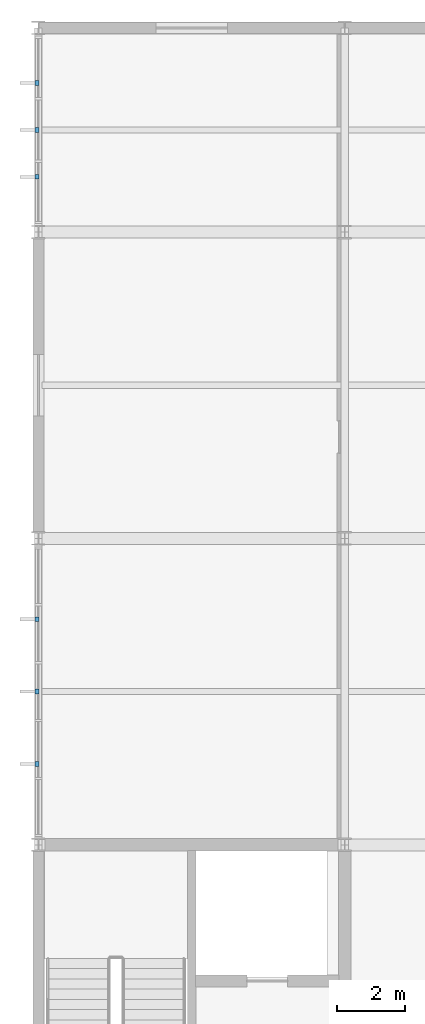
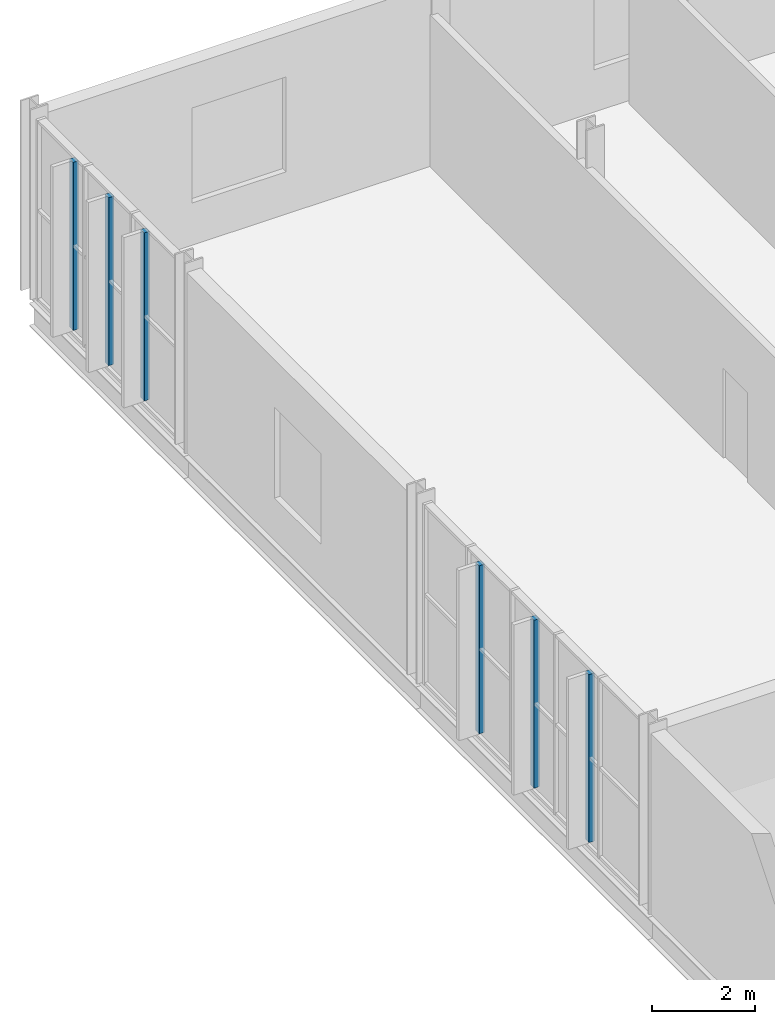
# One storey, part 121 of 134: 6 discrete accessories.
"""IFC4 building model written with IfcOpenShell, lengths in metres."""

from ifc_helpers import new_model, si_unit, direction, frame, origin, origin_2d, place, context, subcontext, project, spatial, rectangle, extrude, material, type_object, element, save


model = new_model("IFC4")

# Units and contexts
model_context = context("Model", 3, precision=1e-05, world=origin(), true_north=direction((0.0, 1.0)))
body_context = subcontext(model_context, "Body", "Model", "MODEL_VIEW")
ifc_project = project(units=[si_unit("LENGTHUNIT", "METRE"), si_unit("AREAUNIT", "SQUARE_METRE"), si_unit("VOLUMEUNIT", "CUBIC_METRE"), si_unit("PLANEANGLEUNIT", "RADIAN"), si_unit("MASSUNIT", "GRAM", prefix="KILO")], contexts=[model_context])

# Site, building, storey
site_placement = place(None, origin())
site = spatial("IfcSite", under=ifc_project, at=site_placement, CompositionType="ELEMENT")
building_placement = place(site_placement, origin())
building = spatial("IfcBuilding", under=site, at=building_placement, Name="Cazmaro Siding Exhibition Halls", CompositionType="ELEMENT")
storey_placement = place(building_placement, frame((0.0, 0.0, 12.0)))
storey = spatial("IfcBuildingStorey", under=building, at=storey_placement, Name="L02", CompositionType="ELEMENT", Elevation=12.0)

# Discrete accessories
ifc_material = material(Name="Steel ASTM A572 Grade 50", Category="steel")
discrete_accessory_type = type_object("IfcDiscreteAccessoryType", Name="SBK-01", PredefinedType="BRACKET", material=ifc_material)
for number, where, z_axis, x_axis, name in (
    (1, (-0.0400390625, 102.373046875, 0.14990234375), (0.0, 0.0, 1.0), (1.0, 0.0, 0.0), "Solar Fin Steel Support Bracket SBK-01 031"),
    (2, (-0.0400390625, 104.5, 0.14990234375), (0.0, 0.0, 1.0), (1.0, 0.0, 0.0), "Solar Fin Steel Support Bracket SBK-01 032"),
    (3, (-0.0400390625, 106.626953125, 0.14990234375), (0.0, 0.0, 1.0), (1.0, 0.0, 0.0), "Solar Fin Steel Support Bracket SBK-01 033"),
    (4, (-0.0400390625, 119.623046875, 0.14990234375), (0.0, 0.0, 1.0), (1.0, 0.0, 0.0), "Solar Fin Steel Support Bracket SBK-01 034"),
    (5, (-0.0400390625, 121.0, 0.14990234375), (0.0, 0.0, 1.0), (1.0, 0.0, 0.0), "Solar Fin Steel Support Bracket SBK-01 035"),
    (6, (-0.0400390625, 122.376953125, 0.14990234375), (0.0, 0.0, 1.0), (1.0, 0.0, 0.0), "Solar Fin Steel Support Bracket SBK-01 036"),
):
    element("IfcDiscreteAccessory", number, at=place(storey_placement, frame(where, z_axis=z_axis, x_axis=x_axis)), inside=storey, type_object=discrete_accessory_type, Name=name, PredefinedType="BRACKET", context=body_context, shape_type="SweptSolid", body=[
        extrude(rectangle(XDim=0.1201171875, YDim=0.139892578125, at=origin_2d()), origin(), (0.0, 0.0, 1.0), 3.97998046875),
    ])

save(model, "model.ifc")
